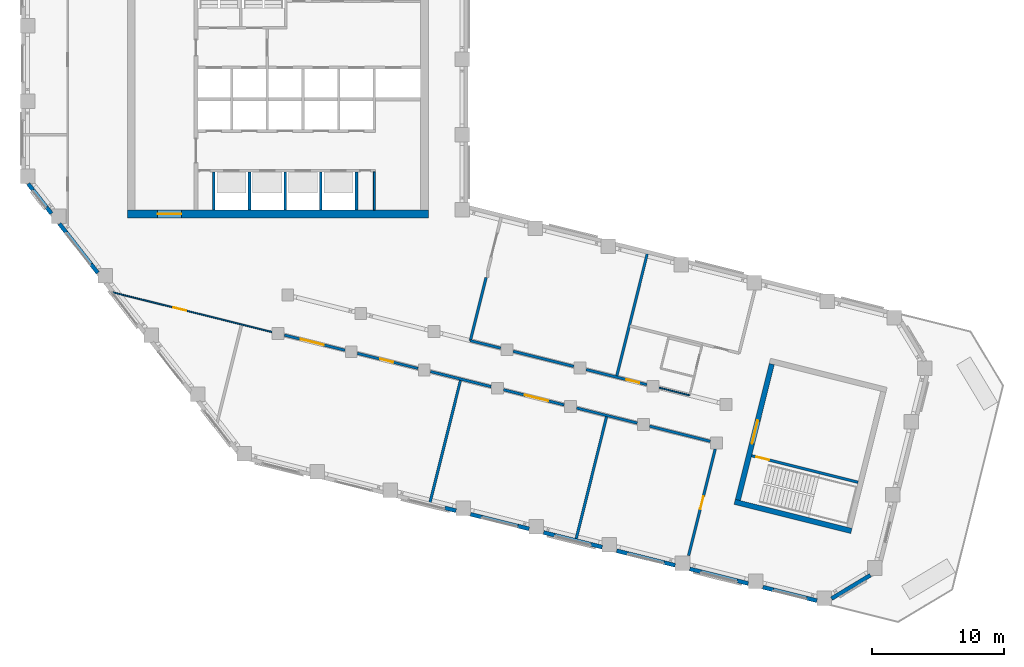
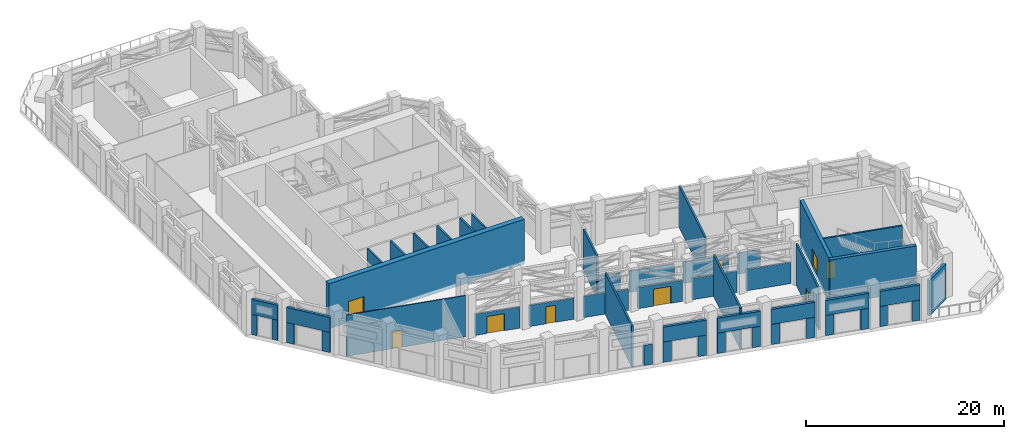
# One storey, part 12 of 21: 49 walls, 9 doors, 9 openings.
"""IFC4 building model written with IfcOpenShell, lengths in metres."""

from ifc_helpers import new_model, si_unit, direction, frame, frame_2d, origin, place, context, subcontext, project, spatial, rectangle, extrude, material, layer, layer_set, type_object, element, fill, save


model = new_model("IFC4")

# Units and contexts
model_context = context("Model", 3, precision=1e-05, world=origin(), true_north=direction((0.0, 1.0)))
body_context = subcontext(model_context, "Body", "Model", "MODEL_VIEW")
ifc_project = project(units=[si_unit("LENGTHUNIT", "METRE"), si_unit("AREAUNIT", "SQUARE_METRE"), si_unit("VOLUMEUNIT", "CUBIC_METRE"), si_unit("PLANEANGLEUNIT", "RADIAN"), si_unit("MASSUNIT", "GRAM", prefix="KILO")], contexts=[model_context])

# Site, building, storey
site_placement = place(None, origin())
site = spatial("IfcSite", under=ifc_project, at=site_placement, CompositionType="ELEMENT")
building_placement = place(site_placement, origin())
building = spatial("IfcBuilding", under=site, at=building_placement, Name="Meshkara Civic Tower", CompositionType="ELEMENT")
storey_placement = place(building_placement, frame((0.0, 0.0, 284.39990234375)))
storey = spatial("IfcBuildingStorey", under=building, at=storey_placement, Name="L65", CompositionType="ELEMENT", Elevation=284.39990234375)

# Wall
ifc_material_1 = material(Name="Blockwork", Category="masonry")
ifc_layer_1 = layer(ifc_material_1, 0.14990234375)
ifc_layer_set_1 = layer_set([ifc_layer_1], Name="Core partition 150")
wall_type_1 = type_object("IfcWallType", Name="Core partition 150", PredefinedType="PARTITIONING", material=ifc_layer_set_1)
wall_1_placement = place(storey_placement, frame((26.699951171875, 14.699951171875, 0.0), z_axis=(0.0, 0.0, 1.0), x_axis=(0.0, 1.0, 0.0)))
element("IfcWall", 1, at=wall_1_placement, inside=storey, type_object=wall_type_1, Name="L65-C025", PredefinedType="PARTITIONING", context=body_context, shape_type="SweptSolid", body=[
    extrude(rectangle(XDim=2.900146484375, YDim=0.14990234375, at=frame_2d((1.4501953125, 0.0))), origin(), (0.0, 0.0, 1.0), 5.10009765625),
])

# Wall, opening, door
ifc_material_2 = material(Name="Concrete C60", Category="concrete")
ifc_layer_2 = layer(ifc_material_2, 0.60009765625)
ifc_layer_set_2 = layer_set([ifc_layer_2], Name="Core ring wall 600 C60")
wall_type_2 = type_object("IfcWallType", Name="Core ring wall 600 C60", PredefinedType="SHEAR", material=ifc_layer_set_2)
wall_2_placement = place(storey_placement, frame((8.0, 14.39990234375, -0.449951171875), z_axis=(0.0, 0.0, 1.0), x_axis=(1.0, 0.0, 0.0)))
wall_2 = element("IfcWall", 2, at=wall_2_placement, inside=storey, type_object=wall_type_2, Name="L65-C001", PredefinedType="SHEAR", context=body_context, shape_type="SweptSolid", body=[
    extrude(rectangle(XDim=22.800048828125, YDim=0.60009765625, at=frame_2d((11.39990234375, 0.0))), origin(), (0.0, 0.0, 1.0), 5.550048828125),
])
opening_1_placement = place(wall_2_placement, frame((2.300048828125, 0.0, 0.449951171875)))
opening_1 = element("IfcOpeningElement", 3, at=opening_1_placement, cuts=wall_2, Name="Opening L65-K027", PredefinedType="OPENING", context=body_context, shape_type="SweptSolid", body=[
    extrude(rectangle(XDim=1.800048828125, YDim=2.10009765625, at=frame_2d((0.89990234375, 1.050048828125))), frame((0.0, 0.31005859375, 0.0), z_axis=(0.0, -1.0, 0.0), x_axis=(1.0, 0.0, 0.0)), (0.0, 0.0, 1.0), 0.6201171875),
])
ifc_material_3 = material(Name="Fire-rated door leaf in steel frame", Category="steel")
door_type_1 = type_object("IfcDoorType", Name="Core double door 1800 EI 60", OperationType="DOUBLE_DOOR_SINGLE_SWING", PredefinedType="DOOR", material=ifc_material_3)
door_1_placement = place(opening_1_placement, origin())
door_1 = element("IfcDoor", 4, at=door_1_placement, inside=storey, type_object=door_type_1, Name="L65-K027", OperationType="DOUBLE_DOOR_SINGLE_SWING", OverallHeight=2.10009765625, OverallWidth=1.800048828125, PredefinedType="DOOR", context=body_context, shape_type="SweptSolid", body=[
    extrude(rectangle(XDim=1.800048828125, YDim=2.10009765625, at=frame_2d((0.89990234375, 1.050048828125))), frame((0.0, 0.02490234375, 0.0), z_axis=(0.0, -1.0, 0.0), x_axis=(1.0, 0.0, 0.0)), (0.0, 0.0, 1.0), 0.050048828125),
])
fill(opening_1, door_1)

ifc_material_4 = material(Name="Corridor wall 100")
ifc_layer_3 = layer(ifc_material_4, 0.10009765625)
ifc_layer_set_3 = layer_set([ifc_layer_3], Name="Corridor wall 100")
wall_type_3 = type_object("IfcWallType", Name="Corridor wall 100", PredefinedType="PARTITIONING", material=ifc_layer_set_3)
wall_3_placement = place(storey_placement, frame((6.822021484375, 8.50244140625, 0.0), z_axis=(0.0, 0.0, 1.0), x_axis=(0.97030423459, -0.241887768058, 0.0)))
wall_3 = element("IfcWall", 5, at=wall_3_placement, inside=storey, type_object=wall_type_3, Name="L65-R003", PredefinedType="PARTITIONING", context=body_context, shape_type="SweptSolid", body=[
    extrude(rectangle(XDim=12.50341796875, YDim=0.10009765625, at=frame_2d((6.251708984375, 0.0))), origin(), (0.0, 0.0, 1.0), 5.10009765625),
])
opening_2_placement = place(wall_3_placement, frame((4.821044921875, 0.0, 0.0)))
opening_2 = element("IfcOpeningElement", 6, at=opening_2_placement, cuts=wall_3, Name="Opening L65-P008", PredefinedType="OPENING", context=body_context, shape_type="SweptSolid", body=[
    extrude(rectangle(XDim=1.0, YDim=2.10009765625, at=frame_2d((0.5, 1.050048828125))), frame((0.0, 0.06005859375, 0.0), z_axis=(0.0, -1.0, 0.0), x_axis=(1.0, 0.0, 0.0)), (0.0, 0.0, 1.0), 0.1201171875),
])
ifc_material_5 = material(Name="Door 1000 x 2100")
door_type_2 = type_object("IfcDoorType", Name="Door 1000 x 2100", OperationType="SINGLE_SWING_LEFT", PredefinedType="DOOR", material=ifc_material_5)
door_2_placement = place(opening_2_placement, origin())
door_2 = element("IfcDoor", 7, at=door_2_placement, inside=storey, type_object=door_type_2, Name="L65-P008", OperationType="SINGLE_SWING_LEFT", OverallHeight=2.10009765625, OverallWidth=1.0, PredefinedType="DOOR", context=body_context, shape_type="SweptSolid", body=[
    extrude(rectangle(XDim=1.0, YDim=2.10009765625, at=frame_2d((0.5, 1.050048828125))), frame((0.0, 0.02490234375, 0.0), z_axis=(0.0, -1.0, 0.0), x_axis=(1.0, 0.0, 0.0)), (0.0, 0.0, 1.0), 0.050048828125),
])
fill(opening_2, door_2)

# Walls
wall_4_placement = place(storey_placement, frame((50.568115234375, 0.68701171875, 0.0), z_axis=(0.0, 0.0, 1.0), x_axis=(-0.97031831608, 0.241831274819, 0.0)))
element("IfcWall", 8, at=wall_4_placement, inside=storey, type_object=wall_type_3, Name="L65-R021", PredefinedType="PARTITIONING", context=body_context, shape_type="SweptSolid", body=[
    extrude(rectangle(XDim=2.365478515625, YDim=0.10009765625, at=frame_2d((1.1826171875, 0.0))), origin(), (0.0, 0.0, 1.0), 2.610107421875),
])
ifc_material_6 = material(Name="Insulated infill panel with bronze anodised aluminium cladding", Category="aluminium")
ifc_layer_4 = layer(ifc_material_6, 0.300048828125)
ifc_layer_set_4 = layer_set([ifc_layer_4], Name="EXTERNAL INFILL WALL 300")
wall_type_4 = type_object("IfcWallType", Name="EXTERNAL INFILL WALL 300", PredefinedType="SOLIDWALL", material=ifc_layer_set_4)
wall_5_placement = place(storey_placement, frame((0.4990234375, 16.705078125, 2.5), z_axis=(0.0, 0.0, 1.0), x_axis=(0.615648999949, -0.78802050028, 0.0)))
element("IfcWall", 9, at=wall_5_placement, inside=storey, type_object=wall_type_4, Name="External wall", PredefinedType="SOLIDWALL", context=body_context, shape_type="SweptSolid", body=[
    extrude(rectangle(XDim=2.86669921875, YDim=0.300048828125, at=frame_2d((1.433349609375, 0.0))), origin(), (0.0, 0.0, 1.0), 1.85009765625),
])
wall_6_placement = place(storey_placement, frame((2.863037109375, 13.678955078125, 2.5), z_axis=(0.0, 0.0, 1.0), x_axis=(0.615727244794, -0.787959364446, 0.0)))
element("IfcWall", 10, at=wall_6_placement, inside=storey, type_object=wall_type_4, Name="External wall", PredefinedType="SOLIDWALL", context=body_context, shape_type="SweptSolid", body=[
    extrude(rectangle(XDim=4.72607421875, YDim=0.300048828125, at=frame_2d((2.363037109375, 0.0))), origin(), (0.0, 0.0, 1.0), 1.85009765625),
])
wall_7_placement = place(storey_placement, frame((33.992919921875, -8.321044921875, 2.5), z_axis=(0.0, 0.0, 1.0), x_axis=(0.970286982272, -0.241956963183, 0.0)))
element("IfcWall", 11, at=wall_7_placement, inside=storey, type_object=wall_type_4, Name="External wall", PredefinedType="SOLIDWALL", context=body_context, shape_type="SweptSolid", body=[
    extrude(rectangle(XDim=4.56689453125, YDim=0.300048828125, at=frame_2d((2.283447265625, 0.0))), origin(), (0.0, 0.0, 1.0), 1.85009765625),
])
wall_8_placement = place(storey_placement, frame((39.52392578125, -9.699951171875, 2.5), z_axis=(0.0, 0.0, 1.0), x_axis=(0.970274459658, -0.242007175378, 0.0)))
element("IfcWall", 12, at=wall_8_placement, inside=storey, type_object=wall_type_4, Name="External wall", PredefinedType="SOLIDWALL", context=body_context, shape_type="SweptSolid", body=[
    extrude(rectangle(XDim=4.56591796875, YDim=0.300048828125, at=frame_2d((2.282958984375, 0.0))), origin(), (0.0, 0.0, 1.0), 1.85009765625),
])
for number, where, z_axis, x_axis, name in (
    (13, (45.053955078125, -11.0791015625, 2.5), (0.0, 0.0, 1.0), (0.970286982272, -0.241956963183, 0.0), "External wall"),
    (14, (50.5849609375, -12.4580078125, 2.5), (0.0, 0.0, 1.0), (0.970286982272, -0.241956963183, 0.0), "External wall"),
):
    element("IfcWall", number, at=place(storey_placement, frame(where, z_axis=z_axis, x_axis=x_axis)), inside=storey, type_object=wall_type_4, Name=name, PredefinedType="SOLIDWALL", context=body_context, shape_type="SweptSolid", body=[
        extrude(rectangle(XDim=4.56689453125, YDim=0.300048828125, at=frame_2d((2.283447265625, 0.0))), origin(), (0.0, 0.0, 1.0), 1.85009765625),
    ])
wall_9_placement = place(storey_placement, frame((56.115966796875, -13.8369140625, 2.5), z_axis=(0.0, 0.0, 1.0), x_axis=(0.970312195291, -0.24185583241, 0.0)))
element("IfcWall", 15, at=wall_9_placement, inside=storey, type_object=wall_type_4, Name="External wall", PredefinedType="SOLIDWALL", context=body_context, shape_type="SweptSolid", body=[
    extrude(rectangle(XDim=4.2255859375, YDim=0.300048828125, at=frame_2d((2.11279296875, 0.0))), origin(), (0.0, 0.0, 1.0), 1.85009765625),
])
wall_10_placement = place(storey_placement, frame((61.31591796875, -14.7060546875, 0.0), z_axis=(0.0, 0.0, 1.0), x_axis=(0.85708488917, 0.515175205883, 0.0)))
element("IfcWall", 16, at=wall_10_placement, inside=storey, type_object=wall_type_4, Name="External wall", PredefinedType="SOLIDWALL", context=body_context, shape_type="SweptSolid", body=[
    extrude(rectangle(XDim=3.433837890625, YDim=0.300048828125, at=frame_2d((1.716796875, 0.0))), origin(), (0.0, 0.0, 1.0), 4.35009765625),
])
ifc_material_7 = material(Name="Concrete C60", Category="concrete")
ifc_layer_5 = layer(ifc_material_7, 0.39990234375)
ifc_layer_set_5 = layer_set([ifc_layer_5], Name="End core ring wall 400 C60")
wall_type_5 = type_object("IfcWallType", Name="End core ring wall 400 C60", PredefinedType="SHEAR", material=ifc_layer_set_5)
wall_11_placement = place(storey_placement, frame((53.988037109375, -7.3798828125, -0.449951171875), z_axis=(0.0, 0.0, 1.0), x_axis=(0.970281210621, -0.241980107272, 0.0)))
element("IfcWall", 17, at=wall_11_placement, inside=storey, type_object=wall_type_5, Name="L65-C032", PredefinedType="SHEAR", context=body_context, shape_type="SweptSolid", body=[
    extrude(rectangle(XDim=9.1005859375, YDim=0.39990234375, at=frame_2d((4.55029296875, 0.0))), origin(), (0.0, 0.0, 1.0), 5.550048828125),
])

# Wall, opening, door
wall_12_placement = place(storey_placement, frame((54.23095703125, -7.23388671875, -0.449951171875), z_axis=(0.0, 0.0, 1.0), x_axis=(0.241890652548, 0.970303515509, 0.0)))
wall_12 = element("IfcWall", 18, at=wall_12_placement, inside=storey, type_object=wall_type_5, Name="L65-C034", PredefinedType="SHEAR", context=body_context, shape_type="SweptSolid", body=[
    extrude(rectangle(XDim=10.599609375, YDim=0.39990234375, at=frame_2d((5.2998046875, 0.0))), origin(), (0.0, 0.0, 1.0), 5.550048828125),
])
opening_3_placement = place(wall_12_placement, frame((4.39990234375, 0.0, 0.449951171875)))
opening_3 = element("IfcOpeningElement", 19, at=opening_3_placement, cuts=wall_12, Name="Opening L65-K202", PredefinedType="OPENING", context=body_context, shape_type="SweptSolid", body=[
    extrude(rectangle(XDim=1.800048828125, YDim=2.10009765625, at=frame_2d((0.89990234375, 1.050048828125))), frame((0.0, 0.2099609375, 0.0), z_axis=(0.0, -1.0, 0.0), x_axis=(1.0, 0.0, 0.0)), (0.0, 0.0, 1.0), 0.419921875),
])
door_3_placement = place(opening_3_placement, origin())
door_3 = element("IfcDoor", 20, at=door_3_placement, inside=storey, type_object=door_type_1, Name="L65-K202", OperationType="DOUBLE_DOOR_SINGLE_SWING", OverallHeight=2.10009765625, OverallWidth=1.800048828125, PredefinedType="DOOR", context=body_context, shape_type="SweptSolid", body=[
    extrude(rectangle(XDim=1.800048828125, YDim=2.10009765625, at=frame_2d((0.89990234375, 1.050048828125))), frame((0.0, 0.02490234375, 0.0), z_axis=(0.0, -1.0, 0.0), x_axis=(1.0, 0.0, 0.0)), (0.0, 0.0, 1.0), 0.050048828125),
])
fill(opening_3, door_3)

ifc_material_8 = material(Name="Fire-rated wall 200")
ifc_layer_6 = layer(ifc_material_8, 0.199951171875)
ifc_layer_set_6 = layer_set([ifc_layer_6], Name="Fire-rated wall 200")
wall_type_6 = type_object("IfcWallType", Name="Fire-rated wall 200", PredefinedType="PARTITIONING", material=ifc_layer_set_6)
wall_13_placement = place(storey_placement, frame((19.89404296875, 5.242919921875, 0.0), z_axis=(0.0, 0.0, 1.0), x_axis=(0.970324390034, -0.241806902517, 0.0)))
wall_13 = element("IfcWall", 21, at=wall_13_placement, inside=storey, type_object=wall_type_6, Name="L65-R008", PredefinedType="PARTITIONING", context=body_context, shape_type="SweptSolid", body=[
    extrude(rectangle(XDim=4.730224609375, YDim=0.199951171875, at=frame_2d((2.365234375, 0.0))), origin(), (0.0, 0.0, 1.0), 2.610107421875),
])
opening_4_placement = place(wall_13_placement, frame((1.280029296875, 0.0, 0.0)))
opening_4 = element("IfcOpeningElement", 22, at=opening_4_placement, cuts=wall_13, Name="Opening L65-P002", PredefinedType="OPENING", context=body_context, shape_type="SweptSolid", body=[
    extrude(rectangle(XDim=1.800048828125, YDim=2.10009765625, at=frame_2d((0.89990234375, 1.050048828125))), frame((0.0, 0.10986328125, 0.0), z_axis=(0.0, -1.0, 0.0), x_axis=(1.0, 0.0, 0.0)), (0.0, 0.0, 1.0), 0.219970703125),
])
ifc_material_9 = material(Name="Door pair 1800 x 2100")
door_type_3 = type_object("IfcDoorType", Name="Door pair 1800 x 2100", OperationType="SINGLE_SWING_LEFT", PredefinedType="DOOR", material=ifc_material_9)
door_4_placement = place(opening_4_placement, origin())
door_4 = element("IfcDoor", 23, at=door_4_placement, inside=storey, type_object=door_type_3, Name="L65-P002", OperationType="DOUBLE_DOOR_SINGLE_SWING", OverallHeight=2.10009765625, OverallWidth=1.800048828125, PredefinedType="DOOR", context=body_context, shape_type="SweptSolid", body=[
    extrude(rectangle(XDim=1.800048828125, YDim=2.10009765625, at=frame_2d((0.89990234375, 1.050048828125))), frame((0.0, 0.02490234375, 0.0), z_axis=(0.0, -1.0, 0.0), x_axis=(1.0, 0.0, 0.0)), (0.0, 0.0, 1.0), 0.050048828125),
])
fill(opening_4, door_4)

wall_14_placement = place(storey_placement, frame((25.424072265625, 3.864013671875, 0.0), z_axis=(0.0, 0.0, 1.0), x_axis=(0.970324351393, -0.241807057574, 0.0)))
wall_14 = element("IfcWall", 24, at=wall_14_placement, inside=storey, type_object=wall_type_6, Name="L65-R010", PredefinedType="PARTITIONING", context=body_context, shape_type="SweptSolid", body=[
    extrude(rectangle(XDim=4.731201171875, YDim=0.199951171875, at=frame_2d((2.36572265625, 0.0))), origin(), (0.0, 0.0, 1.0), 2.610107421875),
])
opening_5_placement = place(wall_14_placement, frame((1.780029296875, 0.0, 0.0)))
opening_5 = element("IfcOpeningElement", 25, at=opening_5_placement, cuts=wall_14, Name="Opening L65-P003", PredefinedType="OPENING", context=body_context, shape_type="SweptSolid", body=[
    extrude(rectangle(XDim=1.0, YDim=2.10009765625, at=frame_2d((0.5, 1.050048828125))), frame((0.0, 0.10986328125, 0.0), z_axis=(0.0, -1.0, 0.0), x_axis=(1.0, 0.0, 0.0)), (0.0, 0.0, 1.0), 0.219970703125),
])
door_5_placement = place(opening_5_placement, origin())
door_5 = element("IfcDoor", 26, at=door_5_placement, inside=storey, type_object=door_type_2, Name="L65-P003", OperationType="SINGLE_SWING_RIGHT", OverallHeight=2.10009765625, OverallWidth=1.0, PredefinedType="DOOR", context=body_context, shape_type="SweptSolid", body=[
    extrude(rectangle(XDim=1.0, YDim=2.10009765625, at=frame_2d((0.5, 1.050048828125))), frame((0.0, 0.02490234375, 0.0), z_axis=(0.0, -1.0, 0.0), x_axis=(1.0, 0.0, 0.0)), (0.0, 0.0, 1.0), 0.050048828125),
])
fill(opening_5, door_5)

# Walls
wall_15_placement = place(storey_placement, frame((30.955078125, 2.485107421875, 0.0), z_axis=(0.0, 0.0, 1.0), x_axis=(0.970324351393, -0.241807057574, 0.0)))
element("IfcWall", 27, at=wall_15_placement, inside=storey, type_object=wall_type_6, Name="L65-R011", PredefinedType="PARTITIONING", context=body_context, shape_type="SweptSolid", body=[
    extrude(rectangle(XDim=4.731201171875, YDim=0.199951171875, at=frame_2d((2.36572265625, 0.0))), origin(), (0.0, 0.0, 1.0), 2.610107421875),
])
wall_16_placement = place(storey_placement, frame((33.97607421875, 4.823974609375, 0.0), z_axis=(0.0, 0.0, 1.0), x_axis=(0.241940400058, 0.970291112409, 0.0)))
element("IfcWall", 28, at=wall_16_placement, inside=storey, type_object=wall_type_6, Name="L65-R012", PredefinedType="PARTITIONING", context=body_context, shape_type="SweptSolid", body=[
    extrude(rectangle(XDim=4.92236328125, YDim=0.199951171875, at=frame_2d((2.461181640625, 0.0))), origin(), (0.0, 0.0, 1.0), 5.10009765625),
])
wall_17_placement = place(storey_placement, frame((36.27197265625, 4.251953125, 0.0), z_axis=(0.0, 0.0, 1.0), x_axis=(-0.970336416584, 0.241758637182, 0.0)))
element("IfcWall", 29, at=wall_17_placement, inside=storey, type_object=wall_type_6, Name="L65-R015", PredefinedType="PARTITIONING", context=body_context, shape_type="SweptSolid", body=[
    extrude(rectangle(XDim=2.365966796875, YDim=0.199951171875, at=frame_2d((1.18310546875, 0.0))), origin(), (0.0, 0.0, 1.0), 2.610107421875),
])

# Wall, opening, door
wall_18_placement = place(storey_placement, frame((36.486083984375, 1.10595703125, 0.0), z_axis=(0.0, 0.0, 1.0), x_axis=(0.970312278952, -0.241855496764, 0.0)))
wall_18 = element("IfcWall", 30, at=wall_18_placement, inside=storey, type_object=wall_type_6, Name="L65-R016", PredefinedType="PARTITIONING", context=body_context, shape_type="SweptSolid", body=[
    extrude(rectangle(XDim=4.730224609375, YDim=0.199951171875, at=frame_2d((2.365234375, 0.0))), origin(), (0.0, 0.0, 1.0), 2.610107421875),
])
opening_6_placement = place(wall_18_placement, frame((1.679931640625, 0.0, 0.0)))
opening_6 = element("IfcOpeningElement", 31, at=opening_6_placement, cuts=wall_18, Name="Opening L65-P004", PredefinedType="OPENING", context=body_context, shape_type="SweptSolid", body=[
    extrude(rectangle(XDim=1.800048828125, YDim=2.10009765625, at=frame_2d((0.89990234375, 1.050048828125))), frame((0.0, 0.10986328125, 0.0), z_axis=(0.0, -1.0, 0.0), x_axis=(1.0, 0.0, 0.0)), (0.0, 0.0, 1.0), 0.219970703125),
])
door_6_placement = place(opening_6_placement, origin())
door_6 = element("IfcDoor", 32, at=door_6_placement, inside=storey, type_object=door_type_3, Name="L65-P004", OperationType="DOUBLE_DOOR_SINGLE_SWING", OverallHeight=2.10009765625, OverallWidth=1.800048828125, PredefinedType="DOOR", context=body_context, shape_type="SweptSolid", body=[
    extrude(rectangle(XDim=1.800048828125, YDim=2.10009765625, at=frame_2d((0.89990234375, 1.050048828125))), frame((0.0, 0.02490234375, 0.0), z_axis=(0.0, -1.0, 0.0), x_axis=(1.0, 0.0, 0.0)), (0.0, 0.0, 1.0), 0.050048828125),
])
fill(opening_6, door_6)

# Walls
wall_19_placement = place(storey_placement, frame((41.802001953125, 2.873046875, 0.0), z_axis=(0.0, 0.0, 1.0), x_axis=(-0.970315297742, 0.241843385204, 0.0)))
element("IfcWall", 33, at=wall_19_placement, inside=storey, type_object=wall_type_6, Name="L65-R017", PredefinedType="PARTITIONING", context=body_context, shape_type="SweptSolid", body=[
    extrude(rectangle(XDim=4.73046875, YDim=0.199951171875, at=frame_2d((2.365234375, 0.0))), origin(), (0.0, 0.0, 1.0), 2.610107421875),
])
wall_20_placement = place(storey_placement, frame((42.01611328125, -0.27294921875, 0.0), z_axis=(0.0, 0.0, 1.0), x_axis=(0.970324351393, -0.241807057574, 0.0)))
element("IfcWall", 34, at=wall_20_placement, inside=storey, type_object=wall_type_6, Name="L65-R018", PredefinedType="PARTITIONING", context=body_context, shape_type="SweptSolid", body=[
    extrude(rectangle(XDim=4.731201171875, YDim=0.199951171875, at=frame_2d((2.36572265625, 0.0))), origin(), (0.0, 0.0, 1.0), 2.610107421875),
])

# Wall, opening, door
wall_21_placement = place(storey_placement, frame((42.741943359375, 2.637939453125, 0.0), z_axis=(0.0, 0.0, 1.0), x_axis=(0.970327368371, -0.241794950714, 0.0)))
wall_21 = element("IfcWall", 35, at=wall_21_placement, inside=storey, type_object=wall_type_6, Name="L65-R019", PredefinedType="PARTITIONING", context=body_context, shape_type="SweptSolid", body=[
    extrude(rectangle(XDim=4.7314453125, YDim=0.199951171875, at=frame_2d((2.36572265625, 0.0))), origin(), (0.0, 0.0, 1.0), 2.610107421875),
])
opening_7_placement = place(wall_21_placement, frame((3.14599609375, 0.0, 0.0)))
opening_7 = element("IfcOpeningElement", 36, at=opening_7_placement, cuts=wall_21, Name="Opening L65-P005", PredefinedType="OPENING", context=body_context, shape_type="SweptSolid", body=[
    extrude(rectangle(XDim=1.0, YDim=2.10009765625, at=frame_2d((0.5, 1.050048828125))), frame((0.0, 0.10986328125, 0.0), z_axis=(0.0, -1.0, 0.0), x_axis=(1.0, 0.0, 0.0)), (0.0, 0.0, 1.0), 0.219970703125),
])
door_7_placement = place(opening_7_placement, origin())
door_7 = element("IfcDoor", 37, at=door_7_placement, inside=storey, type_object=door_type_2, Name="L65-P005", OperationType="SINGLE_SWING_RIGHT", OverallHeight=2.10009765625, OverallWidth=1.0, PredefinedType="DOOR", context=body_context, shape_type="SweptSolid", body=[
    extrude(rectangle(XDim=1.0, YDim=2.10009765625, at=frame_2d((0.5, 1.050048828125))), frame((0.0, 0.02490234375, 0.0), z_axis=(0.0, -1.0, 0.0), x_axis=(1.0, 0.0, 0.0)), (0.0, 0.0, 1.0), 0.050048828125),
])
fill(opening_7, door_7)

# Wall
wall_22_placement = place(storey_placement, frame((47.547119140625, -1.652099609375, 0.0), z_axis=(0.0, 0.0, 1.0), x_axis=(0.970336457776, -0.241758471851, 0.0)))
element("IfcWall", 38, at=wall_22_placement, inside=storey, type_object=wall_type_6, Name="L65-R020", PredefinedType="PARTITIONING", context=body_context, shape_type="SweptSolid", body=[
    extrude(rectangle(XDim=4.731201171875, YDim=0.199951171875, at=frame_2d((2.36572265625, 0.0))), origin(), (0.0, 0.0, 1.0), 2.610107421875),
])

# Wall, opening, door
wall_23_placement = place(storey_placement, frame((52.510986328125, -3.384033203125, 0.0), z_axis=(0.0, 0.0, 1.0), x_axis=(-0.241919937836, -0.970296214399, 0.0)))
wall_23 = element("IfcWall", 39, at=wall_23_placement, inside=storey, type_object=wall_type_6, Name="L65-R023", PredefinedType="PARTITIONING", context=body_context, shape_type="SweptSolid", body=[
    extrude(rectangle(XDim=8.304443359375, YDim=0.199951171875, at=frame_2d((4.15234375, 0.0))), origin(), (0.0, 0.0, 1.0), 5.10009765625),
])
opening_8_placement = place(wall_23_placement, frame((3.679931640625, 0.0, 0.0)))
opening_8 = element("IfcOpeningElement", 40, at=opening_8_placement, cuts=wall_23, Name="Opening L65-P001", PredefinedType="OPENING", context=body_context, shape_type="SweptSolid", body=[
    extrude(rectangle(XDim=1.0, YDim=2.10009765625, at=frame_2d((0.5, 1.050048828125))), frame((0.0, 0.10986328125, 0.0), z_axis=(0.0, -1.0, 0.0), x_axis=(1.0, 0.0, 0.0)), (0.0, 0.0, 1.0), 0.219970703125),
])
door_8_placement = place(opening_8_placement, origin())
door_8 = element("IfcDoor", 41, at=door_8_placement, inside=storey, type_object=door_type_2, Name="L65-P001", OperationType="SINGLE_SWING_RIGHT", OverallHeight=2.10009765625, OverallWidth=1.0, PredefinedType="DOOR", context=body_context, shape_type="SweptSolid", body=[
    extrude(rectangle(XDim=1.0, YDim=2.10009765625, at=frame_2d((0.5, 1.050048828125))), frame((0.0, 0.02490234375, 0.0), z_axis=(0.0, -1.0, 0.0), x_axis=(1.0, 0.0, 0.0)), (0.0, 0.0, 1.0), 0.050048828125),
])
fill(opening_8, door_8)

# Walls
for number, where, z_axis, x_axis, name in (
    (42, (30.872802734375, -7.621337890625, 0.0), (0.0, 0.0, 1.0), (0.241947957391, 0.97028922797, 0.0), "L65-R031"),
    (43, (41.934814453125, -10.37939453125, 0.0), (0.0, 0.0, 1.0), (0.241947957391, 0.97028922797, 0.0), "L65-R032"),
):
    element("IfcWall", number, at=place(storey_placement, frame(where, z_axis=z_axis, x_axis=x_axis)), inside=storey, type_object=wall_type_6, Name=name, PredefinedType="PARTITIONING", context=body_context, shape_type="SweptSolid", body=[
        extrude(rectangle(XDim=9.77587890625, YDim=0.199951171875, at=frame_2d((4.887939453125, 0.0))), origin(), (0.0, 0.0, 1.0), 5.10009765625),
    ])
wall_24_placement = place(storey_placement, frame((45.050048828125, 2.114990234375, 0.0), z_axis=(0.0, 0.0, 1.0), x_axis=(0.241977272759, 0.970281917521, 0.0)))
element("IfcWall", 44, at=wall_24_placement, inside=storey, type_object=wall_type_6, Name="L65-R033", PredefinedType="PARTITIONING", context=body_context, shape_type="SweptSolid", body=[
    extrude(rectangle(XDim=9.56884765625, YDim=0.199951171875, at=frame_2d((4.784423828125, 0.0))), origin(), (0.0, 0.0, 1.0), 5.10009765625),
])
ifc_material_10 = material(Name="Concrete C50", Category="concrete")
ifc_layer_7 = layer(ifc_material_10, 0.300048828125)
ifc_layer_set_7 = layer_set([ifc_layer_7], Name="SKY LOBBY PIER 300")
wall_type_7 = type_object("IfcWallType", Name="SKY LOBBY PIER 300", PredefinedType="SOLIDWALL", material=ifc_layer_set_7)
wall_25_placement = place(storey_placement, frame((0.4990234375, 16.705078125, 0.0), z_axis=(0.0, 0.0, 1.0), x_axis=(0.615880679474, -0.787839443447, 0.0)))
element("IfcWall", 45, at=wall_25_placement, inside=storey, type_object=wall_type_7, Name="Sky lobby pier", PredefinedType="SOLIDWALL", context=body_context, shape_type="SweptSolid", body=[
    extrude(rectangle(XDim=0.6005859375, YDim=0.300048828125, at=frame_2d((0.30029296875, 0.0))), origin(), (0.0, 0.0, 1.0), 2.5),
])
wall_26_placement = place(storey_placement, frame((1.89404296875, 14.9189453125, 0.0), z_axis=(0.0, 0.0, 1.0), x_axis=(0.616077973909, -0.787685171921, 0.0)))
element("IfcWall", 46, at=wall_26_placement, inside=storey, type_object=wall_type_7, Name="Sky lobby pier", PredefinedType="SOLIDWALL", context=body_context, shape_type="SweptSolid", body=[
    extrude(rectangle(XDim=0.600341796875, YDim=0.300048828125, at=frame_2d((0.30029296875, 0.0))), origin(), (0.0, 0.0, 1.0), 2.5),
])
for number, where, z_axis, x_axis, name in (
    (47, (2.863037109375, 13.678955078125, 0.0), (0.0, 0.0, 1.0), (0.615809291242, -0.787895244827, 0.0), "Sky lobby pier"),
    (48, (5.260986328125, 10.610107421875, 0.0), (0.0, 0.0, 1.0), (0.615809291242, -0.787895244827, 0.0), "Sky lobby pier"),
):
    element("IfcWall", number, at=place(storey_placement, frame(where, z_axis=z_axis, x_axis=x_axis)), inside=storey, type_object=wall_type_7, Name=name, PredefinedType="SOLIDWALL", context=body_context, shape_type="SweptSolid", body=[
        extrude(rectangle(XDim=0.831298828125, YDim=0.300048828125, at=frame_2d((0.41552734375, 0.0))), origin(), (0.0, 0.0, 1.0), 2.5),
    ])
wall_27_placement = place(storey_placement, frame((32.044921875, -7.8349609375, 0.0), z_axis=(0.0, 0.0, 1.0), x_axis=(0.970109638469, -0.242667033917, 0.0)))
element("IfcWall", 49, at=wall_27_placement, inside=storey, type_object=wall_type_7, Name="Sky lobby pier", PredefinedType="SOLIDWALL", context=body_context, shape_type="SweptSolid", body=[
    extrude(rectangle(XDim=0.874267578125, YDim=0.300048828125, at=frame_2d((0.43701171875, 0.0))), origin(), (0.0, 0.0, 1.0), 2.5),
])
wall_28_placement = place(storey_placement, frame((33.992919921875, -8.321044921875, 0.0), z_axis=(0.0, 0.0, 1.0), x_axis=(0.970437553676, -0.241352344956, 0.0)))
element("IfcWall", 50, at=wall_28_placement, inside=storey, type_object=wall_type_7, Name="Sky lobby pier", PredefinedType="SOLIDWALL", context=body_context, shape_type="SweptSolid", body=[
    extrude(rectangle(XDim=0.8740234375, YDim=0.300048828125, at=frame_2d((0.43701171875, 0.0))), origin(), (0.0, 0.0, 1.0), 2.5),
])
wall_29_placement = place(storey_placement, frame((37.575927734375, -9.214111328125, 0.0), z_axis=(0.0, 0.0, 1.0), x_axis=(0.970175346246, -0.242404202804, 0.0)))
element("IfcWall", 51, at=wall_29_placement, inside=storey, type_object=wall_type_7, Name="Sky lobby pier", PredefinedType="SOLIDWALL", context=body_context, shape_type="SweptSolid", body=[
    extrude(rectangle(XDim=0.874267578125, YDim=0.300048828125, at=frame_2d((0.43701171875, 0.0))), origin(), (0.0, 0.0, 1.0), 2.5),
])
wall_30_placement = place(storey_placement, frame((39.52392578125, -9.699951171875, 0.0), z_axis=(0.0, 0.0, 1.0), x_axis=(0.970437553676, -0.241352344956, 0.0)))
element("IfcWall", 52, at=wall_30_placement, inside=storey, type_object=wall_type_7, Name="Sky lobby pier", PredefinedType="SOLIDWALL", context=body_context, shape_type="SweptSolid", body=[
    extrude(rectangle(XDim=0.8740234375, YDim=0.300048828125, at=frame_2d((0.43701171875, 0.0))), origin(), (0.0, 0.0, 1.0), 2.5),
])
wall_31_placement = place(storey_placement, frame((43.10595703125, -10.593017578125, 0.0), z_axis=(0.0, 0.0, 1.0), x_axis=(0.970175346246, -0.242404202804, 0.0)))
element("IfcWall", 53, at=wall_31_placement, inside=storey, type_object=wall_type_7, Name="Sky lobby pier", PredefinedType="SOLIDWALL", context=body_context, shape_type="SweptSolid", body=[
    extrude(rectangle(XDim=0.874267578125, YDim=0.300048828125, at=frame_2d((0.43701171875, 0.0))), origin(), (0.0, 0.0, 1.0), 2.5),
])
wall_32_placement = place(storey_placement, frame((45.053955078125, -11.0791015625, 0.0), z_axis=(0.0, 0.0, 1.0), x_axis=(0.970437553676, -0.241352344956, 0.0)))
element("IfcWall", 54, at=wall_32_placement, inside=storey, type_object=wall_type_7, Name="Sky lobby pier", PredefinedType="SOLIDWALL", context=body_context, shape_type="SweptSolid", body=[
    extrude(rectangle(XDim=0.8740234375, YDim=0.300048828125, at=frame_2d((0.43701171875, 0.0))), origin(), (0.0, 0.0, 1.0), 2.5),
])
wall_33_placement = place(storey_placement, frame((48.636962890625, -11.971923828125, 0.0), z_axis=(0.0, 0.0, 1.0), x_axis=(0.970109638469, -0.242667033917, 0.0)))
element("IfcWall", 55, at=wall_33_placement, inside=storey, type_object=wall_type_7, Name="Sky lobby pier", PredefinedType="SOLIDWALL", context=body_context, shape_type="SweptSolid", body=[
    extrude(rectangle(XDim=0.874267578125, YDim=0.300048828125, at=frame_2d((0.43701171875, 0.0))), origin(), (0.0, 0.0, 1.0), 2.5),
])
wall_34_placement = place(storey_placement, frame((50.5849609375, -12.4580078125, 0.0), z_axis=(0.0, 0.0, 1.0), x_axis=(0.970437553676, -0.241352344956, 0.0)))
element("IfcWall", 56, at=wall_34_placement, inside=storey, type_object=wall_type_7, Name="Sky lobby pier", PredefinedType="SOLIDWALL", context=body_context, shape_type="SweptSolid", body=[
    extrude(rectangle(XDim=0.8740234375, YDim=0.300048828125, at=frame_2d((0.43701171875, 0.0))), origin(), (0.0, 0.0, 1.0), 2.5),
])
wall_35_placement = place(storey_placement, frame((54.16796875, -13.35107421875, 0.0), z_axis=(0.0, 0.0, 1.0), x_axis=(0.970175346246, -0.242404202804, 0.0)))
element("IfcWall", 57, at=wall_35_placement, inside=storey, type_object=wall_type_7, Name="Sky lobby pier", PredefinedType="SOLIDWALL", context=body_context, shape_type="SweptSolid", body=[
    extrude(rectangle(XDim=0.874267578125, YDim=0.300048828125, at=frame_2d((0.43701171875, 0.0))), origin(), (0.0, 0.0, 1.0), 2.5),
])
for number, where, z_axis, x_axis, name in (
    (58, (56.115966796875, -13.8369140625, 0.0), (0.0, 0.0, 1.0), (0.970267105456, -0.242036658526, 0.0), "Sky lobby pier"),
    (59, (59.43408203125, -14.6640625, 0.0), (0.0, 0.0, 1.0), (0.970338207601, -0.241751448537, 0.0), "Sky lobby pier"),
):
    element("IfcWall", number, at=place(storey_placement, frame(where, z_axis=z_axis, x_axis=x_axis)), inside=storey, type_object=wall_type_7, Name=name, PredefinedType="SOLIDWALL", context=body_context, shape_type="SweptSolid", body=[
        extrude(rectangle(XDim=0.805908203125, YDim=0.300048828125, at=frame_2d((0.40283203125, 0.0))), origin(), (0.0, 0.0, 1.0), 2.5),
    ])
ifc_material_11 = material(Name="Concrete C40/50", Category="concrete")
ifc_layer_8 = layer(ifc_material_11, 0.199951171875)
ifc_layer_set_8 = layer_set([ifc_layer_8], Name="Shaft wall 200 C40/50")
wall_type_8 = type_object("IfcWallType", Name="Shaft wall 200 C40/50", PredefinedType="SOLIDWALL", material=ifc_layer_set_8)
for number, where, z_axis, x_axis, name in (
    (60, (14.550048828125, 14.699951171875, 0.0), (0.0, 0.0, 1.0), (0.0, 1.0, 0.0), "L65-C012"),
    (61, (17.25, 14.699951171875, 0.0), (0.0, 0.0, 1.0), (0.0, 1.0, 0.0), "L65-C015"),
    (62, (19.949951171875, 14.699951171875, 0.0), (0.0, 0.0, 1.0), (0.0, 1.0, 0.0), "L65-C017"),
    (63, (22.64990234375, 14.699951171875, 0.0), (0.0, 0.0, 1.0), (0.0, 1.0, 0.0), "L65-C021"),
    (64, (25.35009765625, 14.699951171875, 0.0), (0.0, 0.0, 1.0), (0.0, 1.0, 0.0), "L65-C023"),
):
    element("IfcWall", number, at=place(storey_placement, frame(where, z_axis=z_axis, x_axis=x_axis)), inside=storey, type_object=wall_type_8, Name=name, PredefinedType="SOLIDWALL", context=body_context, shape_type="SweptSolid", body=[
        extrude(rectangle(XDim=2.900146484375, YDim=0.199951171875, at=frame_2d((1.4501953125, 0.0))), origin(), (0.0, 0.0, 1.0), 5.10009765625),
    ])

# Wall, opening, door
ifc_material_12 = material(Name="Concrete C40/50", Category="concrete")
ifc_layer_9 = layer(ifc_material_12, 0.199951171875)
ifc_layer_set_9 = layer_set([ifc_layer_9], Name="Stair enclosure wall 200 C40/50")
wall_type_9 = type_object("IfcWallType", Name="Stair enclosure wall 200 C40/50", PredefinedType="SOLIDWALL", material=ifc_layer_set_9)
wall_36_placement = place(storey_placement, frame((55.27099609375, -3.886962890625, 0.0), z_axis=(0.0, 0.0, 1.0), x_axis=(0.970296288869, -0.241919639151, 0.0)))
wall_36 = element("IfcWall", 65, at=wall_36_placement, inside=storey, type_object=wall_type_9, Name="L65-C036", PredefinedType="SOLIDWALL", context=body_context, shape_type="SweptSolid", body=[
    extrude(rectangle(XDim=8.300537109375, YDim=0.199951171875, at=frame_2d((4.150390625, 0.0))), origin(), (0.0, 0.0, 1.0), 5.10009765625),
])
opening_9_placement = place(wall_36_placement, frame((0.35009765625, 0.0, 0.0)))
opening_9 = element("IfcOpeningElement", 66, at=opening_9_placement, cuts=wall_36, Name="Opening L65-K201", PredefinedType="OPENING", context=body_context, shape_type="SweptSolid", body=[
    extrude(rectangle(XDim=1.0, YDim=2.10009765625, at=frame_2d((0.5, 1.050048828125))), frame((0.0, 0.10986328125, 0.0), z_axis=(0.0, -1.0, 0.0), x_axis=(1.0, 0.0, 0.0)), (0.0, 0.0, 1.0), 0.219970703125),
])
ifc_material_13 = material(Name="Fire-rated door leaf in steel frame", Category="steel")
door_type_4 = type_object("IfcDoorType", Name="Stair door 1000 EI 120", OperationType="SINGLE_SWING_LEFT", PredefinedType="DOOR", material=ifc_material_13)
door_9_placement = place(opening_9_placement, origin())
door_9 = element("IfcDoor", 67, at=door_9_placement, inside=storey, type_object=door_type_4, Name="L65-K201", OperationType="SINGLE_SWING_LEFT", OverallHeight=2.10009765625, OverallWidth=1.0, PredefinedType="DOOR", context=body_context, shape_type="SweptSolid", body=[
    extrude(rectangle(XDim=1.0, YDim=2.10009765625, at=frame_2d((0.5, 1.050048828125))), frame((0.0, 0.02490234375, 0.0), z_axis=(0.0, -1.0, 0.0), x_axis=(1.0, 0.0, 0.0)), (0.0, 0.0, 1.0), 0.050048828125),
])
fill(opening_9, door_9)

save(model, "model.ifc")
